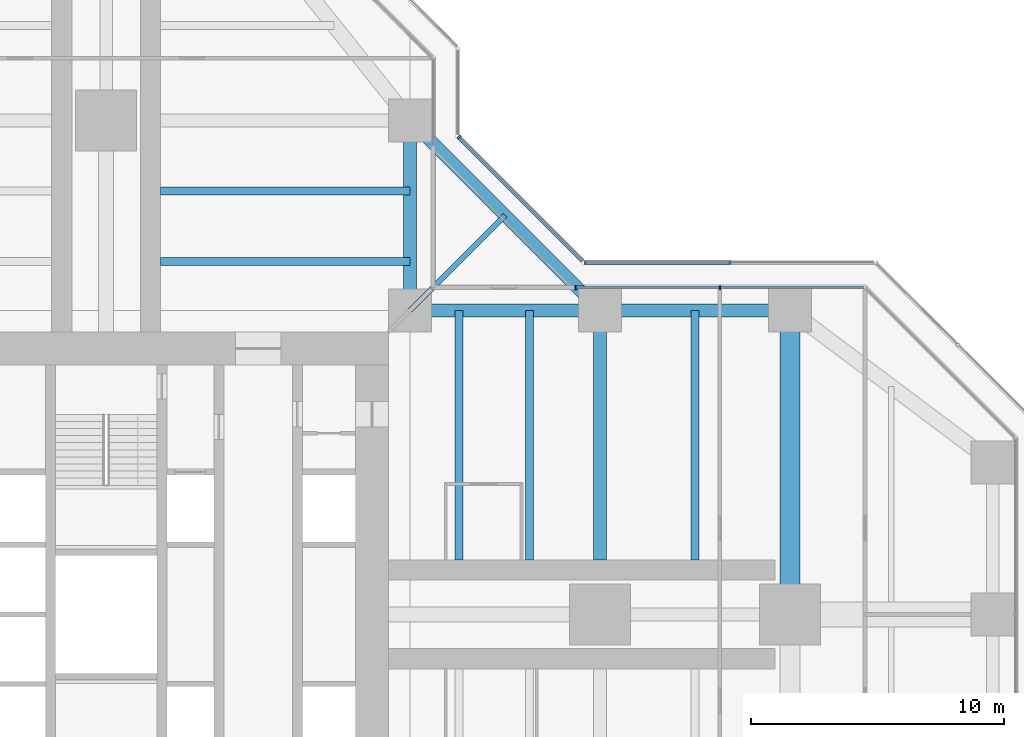
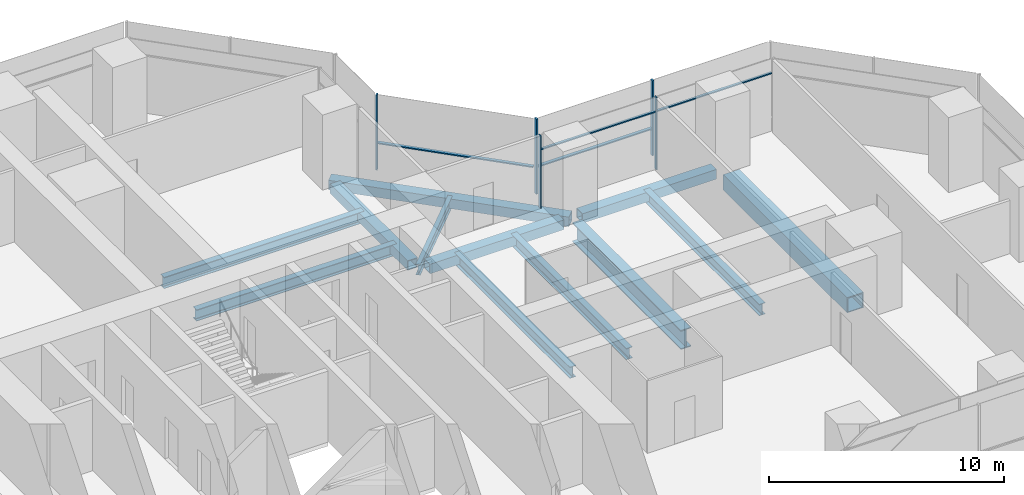
# One storey, part 9 of 19: 12 beams, 9 members, 3 elements without a shape of their own.
"""IFC4 building model written with IfcOpenShell, lengths in metres."""

from ifc_helpers import new_model, si_unit, direction, frame, origin, origin_2d, place, context, subcontext, project, spatial, rectangle, hollow_rectangle, i_section, extrude, material, material_profile, profile_set, type_object, element, aggregate, save


model = new_model("IFC4")

# Units and contexts
model_context = context("Model", 3, precision=1e-05, world=origin(), true_north=direction((0.0, 1.0)))
body_context = subcontext(model_context, "Body", "Model", "MODEL_VIEW")
ifc_project = project(units=[si_unit("LENGTHUNIT", "METRE"), si_unit("AREAUNIT", "SQUARE_METRE"), si_unit("VOLUMEUNIT", "CUBIC_METRE"), si_unit("PLANEANGLEUNIT", "RADIAN"), si_unit("MASSUNIT", "GRAM", prefix="KILO")], contexts=[model_context])

# Site, building, storey
site_placement = place(None, origin())
site = spatial("IfcSite", under=ifc_project, at=site_placement, CompositionType="ELEMENT")
building_placement = place(site_placement, origin())
building = spatial("IfcBuilding", under=site, at=building_placement, Name="Mizan Broadcast Tower", CompositionType="ELEMENT")
storey_placement = place(building_placement, frame((0.0, 0.0, 186.60009765625)))
storey = spatial("IfcBuildingStorey", under=building, at=storey_placement, Name="L43", CompositionType="ELEMENT", Elevation=186.60009765625)

# Beams
ifc_material_1 = material(Name="Steel S355", Category="steel")
ifc_material_profile_1 = material_profile(ifc_material_1, hollow_rectangle(XDim=0.5, YDim=0.5, WallThickness=0.030029296875, at=origin_2d()), Name="BOX 500x500x30")
ifc_profile_set_1 = profile_set([ifc_material_profile_1], Name="Steel S355")
beam_type_1 = type_object("IfcBeamType", Name="EDGE BEAM BOX 500x500x30", PredefinedType="SPANDREL", material=ifc_profile_set_1)
for number, where, z_axis, x_axis, name in (
    (1, (12.449951171875, 12.0, -0.380126953125), (1.0, 0.0, 0.0), (0.0, 1.0, 0.0), "Edge beam BOX 500x500x30 L43 east arm"),
    (2, (19.949951171875, 12.0, -0.380126953125), (1.0, 0.0, 0.0), (0.0, 1.0, 0.0), "Edge beam BOX 500x500x30 L43 east arm"),
    (3, (12.0, 12.449951171875, -0.380126953125), (0.0, 1.0, 0.0), (-1.0, 0.0, 0.0), "Edge beam BOX 500x500x30 L43 north arm"),
):
    element("IfcBeam", number, at=place(storey_placement, frame(where, z_axis=z_axis, x_axis=x_axis)), inside=storey, type_object=beam_type_1, Name=name, PredefinedType="SPANDREL", context=body_context, shape_type="SweptSolid", body=[
        extrude(hollow_rectangle(XDim=0.5, YDim=0.5, WallThickness=0.030029296875, at=origin_2d()), origin(), (0.0, 0.0, 1.0), 6.60009765625),
    ])
beam_1_placement = place(storey_placement, frame((19.5, 12.0, -0.380126953125), z_axis=(-0.707106781187, 0.707106781187, 0.0), x_axis=(-0.707106781187, -0.707106781187, 0.0)))
element("IfcBeam", 4, at=beam_1_placement, inside=storey, type_object=beam_type_1, Name="Winter garden edge beam L43 E", PredefinedType="SPANDREL", context=body_context, shape_type="SweptSolid", body=[
    extrude(hollow_rectangle(XDim=0.5, YDim=0.5, WallThickness=0.030029296875, at=origin_2d()), origin(), (0.0, 0.0, 1.0), 10.606689453125),
])
ifc_material_2 = material(Name="Steel S460", Category="steel")
ifc_material_profile_2 = material_profile(ifc_material_2, hollow_rectangle(XDim=0.800048828125, YDim=0.800048828125, WallThickness=0.050048828125, at=origin_2d()), Name="BOX 800x800x50")
ifc_profile_set_2 = profile_set([ifc_material_profile_2], Name="Steel S460")
beam_type_2 = type_object("IfcBeamType", Name="GIRDER BOX 800x800x50", PredefinedType="BEAM", material=ifc_profile_set_2)
beam_2_placement = place(storey_placement, frame((27.0, 11.280029296875, -0.530029296875), z_axis=(0.0, -1.0, 0.0), x_axis=(1.0, 0.0, 0.0)))
element("IfcBeam", 5, at=beam_2_placement, inside=storey, type_object=beam_type_2, Name="Girder BOX 800x800x50 L43 east arm", PredefinedType="BEAM", context=body_context, shape_type="SweptSolid", body=[
    extrude(hollow_rectangle(XDim=0.800048828125, YDim=0.800048828125, WallThickness=0.050048828125, at=origin_2d()), origin(), (0.0, 0.0, 1.0), 10.56005859375),
])
ifc_material_3 = material(Name="Steel S460", Category="steel")
ifc_material_profile_3 = material_profile(ifc_material_3, i_section(OverallWidth=0.5, OverallDepth=1.0, WebThickness=0.02490234375, FlangeThickness=0.050048828125, at=origin_2d()), Name="WPG 1000x500")
ifc_profile_set_3 = profile_set([ifc_material_profile_3], Name="Steel S460")
beam_type_3 = type_object("IfcBeamType", Name="GIRDER WPG 1000x500", PredefinedType="BEAM", material=ifc_profile_set_3)
beam_3_placement = place(storey_placement, frame((19.5, 11.408935546875, -0.630126953125), z_axis=(0.0, -1.0, 0.0), x_axis=(1.0, 0.0, 0.0)))
element("IfcBeam", 6, at=beam_3_placement, inside=storey, type_object=beam_type_3, Name="Girder WPG 1000x500 L43 east arm", PredefinedType="BEAM", context=body_context, shape_type="SweptSolid", body=[
    extrude(i_section(OverallWidth=0.5, OverallDepth=1.0, WebThickness=0.02490234375, FlangeThickness=0.050048828125, at=origin_2d()), origin(), (0.0, 0.0, 1.0), 9.259033203125),
])

# Curtain wall, members
ifc_material_4 = material(Name="Aluminium framed glazing", Category="aluminium")
curtain_wall_type_1 = type_object("IfcCurtainWallType", Name="INNER SKIN MID ZONE", PredefinedType="USERDEFINED", material=ifc_material_4)
curtain_wall_1_placement = place(storey_placement, origin())
curtain_wall_1 = element("IfcCurtainWall", 7, at=curtain_wall_1_placement, inside=storey, type_object=curtain_wall_type_1, Name="Inner skin mid zone L43 E side", ObjectType="INNER SKIN MID ZONE", PredefinedType="USERDEFINED")
ifc_material_5 = material(Name="Aluminium, pale anodised", Category="aluminium")
ifc_material_profile_4 = material_profile(ifc_material_5, rectangle(XDim=0.159912109375, YDim=0.06005859375, at=origin_2d()), Name="MULLION 160x60")
ifc_profile_set_4 = profile_set([ifc_material_profile_4], Name="Aluminium, pale anodised")
member_type_1 = type_object("IfcMemberType", Name="INNER SKIN MULLION 60x160", PredefinedType="MULLION", material=ifc_profile_set_4)
member_1_placement = place(storey_placement, frame((24.229248046875, 12.89990234375, 0.0), z_axis=(0.0, 0.0, 1.0), x_axis=(0.0, -1.0, 0.0)))
member_1 = element("IfcMember", 8, at=member_1_placement, type_object=member_type_1, Name="Inner skin mid zone L43 E side mullion 2", PredefinedType="MULLION", context=body_context, shape_type="SweptSolid", body=[
    extrude(rectangle(XDim=0.159912109375, YDim=0.06005859375, at=origin_2d()), origin(), (0.0, 0.0, 1.0), 3.77001953125),
])
member_2_placement = place(storey_placement, frame((18.530029296875, 12.89990234375, 0.0), z_axis=(0.0, 0.0, 1.0), x_axis=(0.0, -1.0, 0.0)))
member_2 = element("IfcMember", 9, at=member_2_placement, type_object=member_type_1, Name="Inner skin mid zone L43 E side mullion 3", PredefinedType="MULLION", context=body_context, shape_type="SweptSolid", body=[
    extrude(rectangle(XDim=0.159912109375, YDim=0.06005859375, at=origin_2d()), origin(), (0.0, 0.0, 1.0), 3.77001953125),
])
ifc_material_6 = material(Name="Aluminium, pale anodised", Category="aluminium")
ifc_material_profile_5 = material_profile(ifc_material_6, rectangle(XDim=0.1201171875, YDim=0.06005859375, at=origin_2d()), Name="TRANSOM 120x60")
ifc_profile_set_5 = profile_set([ifc_material_profile_5], Name="Aluminium, pale anodised")
member_type_2 = type_object("IfcMemberType", Name="INNER SKIN TRANSOM 60x120", PredefinedType="USERDEFINED", material=ifc_profile_set_5)
member_3_placement = place(storey_placement, frame((29.898681640625, 12.89990234375, 3.02978515625), z_axis=(-1.0, 0.0, 0.0), x_axis=(0.0, -1.0, 0.0)))
member_3 = element("IfcMember", 10, at=member_3_placement, type_object=member_type_2, Name="Inner skin mid zone L43 E side transom 1.1", ObjectType="TRANSOM", PredefinedType="USERDEFINED", context=body_context, shape_type="SweptSolid", body=[
    extrude(rectangle(XDim=0.1201171875, YDim=0.06005859375, at=origin_2d()), origin(), (0.0, 0.0, 1.0), 5.639404296875),
])
member_4_placement = place(storey_placement, frame((24.19921875, 12.89990234375, 3.02978515625), z_axis=(-1.0, 0.0, 0.0), x_axis=(0.0, -1.0, 0.0)))
member_4 = element("IfcMember", 11, at=member_4_placement, type_object=member_type_2, Name="Inner skin mid zone L43 E side transom 2.1", ObjectType="TRANSOM", PredefinedType="USERDEFINED", context=body_context, shape_type="SweptSolid", body=[
    extrude(rectangle(XDim=0.1201171875, YDim=0.06005859375, at=origin_2d()), origin(), (0.0, 0.0, 1.0), 5.63916015625),
])
aggregate(curtain_wall_1, [member_1, member_2, member_3, member_4])

ifc_material_7 = material(Name="Aluminium framed glazing", Category="aluminium")
curtain_wall_type_2 = type_object("IfcCurtainWallType", Name="OUTER SKIN", PredefinedType="USERDEFINED", material=ifc_material_7)
curtain_wall_2_placement = place(storey_placement, origin())
curtain_wall_2 = element("IfcCurtainWall", 12, at=curtain_wall_2_placement, inside=storey, type_object=curtain_wall_type_2, Name="Outer skin L43 E side", ObjectType="OUTER SKIN", PredefinedType="USERDEFINED")
ifc_material_8 = material(Name="Aluminium, pale anodised", Category="aluminium")
ifc_material_profile_6 = material_profile(ifc_material_8, rectangle(XDim=0.159912109375, YDim=0.080078125, at=origin_2d()), Name="MULLION 160x80")
ifc_profile_set_6 = profile_set([ifc_material_profile_6], Name="Aluminium, pale anodised")
member_type_3 = type_object("IfcMemberType", Name="OUTER SKIN MULLION 80x160", PredefinedType="MULLION", material=ifc_profile_set_6)
member_5_placement = place(storey_placement, frame((24.622802734375, 13.89990234375, 0.0), z_axis=(0.0, 0.0, 1.0), x_axis=(0.0, -1.0, 0.0)))
member_5 = element("IfcMember", 13, at=member_5_placement, type_object=member_type_3, Name="Outer skin L43 E side mullion 2", PredefinedType="MULLION", context=body_context, shape_type="SweptSolid", body=[
    extrude(rectangle(XDim=0.159912109375, YDim=0.080078125, at=origin_2d()), origin(), (0.0, 0.0, 1.0), 3.89990234375),
])
member_6_placement = place(storey_placement, frame((18.912841796875, 13.89990234375, 0.0), z_axis=(0.0, 0.0, 1.0), x_axis=(0.0, -1.0, 0.0)))
member_6 = element("IfcMember", 14, at=member_6_placement, type_object=member_type_3, Name="Outer skin L43 E side mullion 3", PredefinedType="MULLION", context=body_context, shape_type="SweptSolid", body=[
    extrude(rectangle(XDim=0.159912109375, YDim=0.080078125, at=origin_2d()), origin(), (0.0, 0.0, 1.0), 3.89990234375),
])

# Curtain wall, member
curtain_wall_3_placement = place(storey_placement, origin())
curtain_wall_3 = element("IfcCurtainWall", 15, at=curtain_wall_3_placement, inside=storey, type_object=curtain_wall_type_2, Name="Outer skin L43 E chamfer", ObjectType="OUTER SKIN", PredefinedType="USERDEFINED")
member_7_placement = place(storey_placement, frame((13.92822265625, 18.844482421875, 0.0), z_axis=(0.0, 0.0, 1.0), x_axis=(-0.707106781187, -0.707106781187, 0.0)))
member_7 = element("IfcMember", 16, at=member_7_placement, type_object=member_type_3, Name="Outer skin L43 E chamfer mullion 2", PredefinedType="MULLION", context=body_context, shape_type="SweptSolid", body=[
    extrude(rectangle(XDim=0.159912109375, YDim=0.080078125, at=origin_2d()), origin(), (0.0, 0.0, 1.0), 3.89990234375),
])

# Member
ifc_material_9 = material(Name="Aluminium, pale anodised", Category="aluminium")
ifc_material_profile_7 = material_profile(ifc_material_9, rectangle(XDim=0.159912109375, YDim=0.06005859375, at=origin_2d()), Name="TRANSOM 160x60")
ifc_profile_set_7 = profile_set([ifc_material_profile_7], Name="Aluminium, pale anodised")
member_type_4 = type_object("IfcMemberType", Name="OUTER SKIN TRANSOM 60x160", PredefinedType="USERDEFINED", material=ifc_profile_set_7)
member_8_placement = place(storey_placement, frame((24.582763671875, 13.89990234375, 1.39990234375), z_axis=(-1.0, 0.0, 0.0), x_axis=(0.0, -1.0, 0.0)))
member_8 = element("IfcMember", 17, at=member_8_placement, type_object=member_type_4, Name="Outer skin L43 E side transom 2.1", ObjectType="TRANSOM", PredefinedType="USERDEFINED", context=body_context, shape_type="SweptSolid", body=[
    extrude(rectangle(XDim=0.159912109375, YDim=0.06005859375, at=origin_2d()), origin(), (0.0, 0.0, 1.0), 5.6298828125),
])

aggregate(curtain_wall_2, [member_5, member_6, member_8])

member_9_placement = place(storey_placement, frame((18.816162109375, 13.95654296875, 1.39990234375), z_axis=(-0.707106781187, 0.707106781187, 0.0), x_axis=(-0.707106781187, -0.707106781187, 0.0)))
member_9 = element("IfcMember", 18, at=member_9_placement, type_object=member_type_4, Name="Outer skin L43 E chamfer transom 1.1", ObjectType="TRANSOM", PredefinedType="USERDEFINED", context=body_context, shape_type="SweptSolid", body=[
    extrude(rectangle(XDim=0.159912109375, YDim=0.06005859375, at=origin_2d()), origin(), (0.0, 0.0, 1.0), 6.87255859375),
])

aggregate(curtain_wall_3, [member_7, member_9])

# Beams
ifc_material_10 = material(Name="Steel S355", Category="steel")
ifc_material_profile_8 = material_profile(ifc_material_10, i_section(OverallWidth=0.300048828125, OverallDepth=0.590087890625, WebThickness=0.012939453125, FlangeThickness=0.02490234375, FilletRadius=0.027099609375, at=origin_2d()), Name="HEA 600")
ifc_profile_set_8 = profile_set([ifc_material_profile_8], Name="Steel S355")
beam_type_4 = type_object("IfcBeamType", Name="SECONDARY BEAM HEA 600", PredefinedType="JOIST", material=ifc_profile_set_8)
for number, where, z_axis, x_axis, name in (
    (19, (13.933349609375, 12.0, -0.425048828125), (0.0, -1.0, 0.0), (1.0, 0.0, 0.0), "Secondary beam HEA 600 L43 east arm"),
    (20, (16.716552734375, 12.0, -0.425048828125), (0.0, -1.0, 0.0), (1.0, 0.0, 0.0), "Secondary beam HEA 600 L43 east arm"),
    (21, (23.25, 12.0, -0.425048828125), (0.0, -1.0, 0.0), (1.0, 0.0, 0.0), "Secondary beam HEA 600 L43 east arm"),
    (22, (12.0, 13.933349609375, -0.425048828125), (-1.0, 0.0, 0.0), (0.0, -1.0, 0.0), "Secondary beam HEA 600 L43 north arm"),
    (23, (12.0, 16.716552734375, -0.425048828125), (-1.0, 0.0, 0.0), (0.0, -1.0, 0.0), "Secondary beam HEA 600 L43 north arm"),
):
    element("IfcBeam", number, at=place(storey_placement, frame(where, z_axis=z_axis, x_axis=x_axis)), inside=storey, type_object=beam_type_4, Name=name, PredefinedType="JOIST", context=body_context, shape_type="SweptSolid", body=[
        extrude(i_section(OverallWidth=0.300048828125, OverallDepth=0.590087890625, WebThickness=0.012939453125, FlangeThickness=0.02490234375, FilletRadius=0.027099609375, at=origin_2d()), origin(), (0.0, 0.0, 1.0), 9.85009765625),
    ])
ifc_material_11 = material(Name="Steel S355", Category="steel")
ifc_material_profile_9 = material_profile(ifc_material_11, i_section(OverallWidth=0.2099609375, OverallDepth=0.550048828125, WebThickness=0.010986328125, FlangeThickness=0.01708984375, FilletRadius=0.02392578125, at=origin_2d()), Name="IPE 550")
ifc_profile_set_9 = profile_set([ifc_material_profile_9], Name="Steel S355")
beam_type_5 = type_object("IfcBeamType", Name="SECONDARY BEAM IPE 550", PredefinedType="JOIST", material=ifc_profile_set_9)
beam_4_placement = place(storey_placement, frame((12.0, 12.0, -0.405029296875), z_axis=(0.707106781187, 0.707106781187, 0.0), x_axis=(-0.707106781187, 0.707106781187, 0.0)))
element("IfcBeam", 24, at=beam_4_placement, inside=storey, type_object=beam_type_5, Name="Winter garden beam L43 E", PredefinedType="JOIST", context=body_context, shape_type="SweptSolid", body=[
    extrude(i_section(OverallWidth=0.2099609375, OverallDepth=0.550048828125, WebThickness=0.010986328125, FlangeThickness=0.01708984375, FilletRadius=0.02392578125, at=origin_2d()), origin(), (0.0, 0.0, 1.0), 5.30322265625),
])

save(model, "model.ifc")
